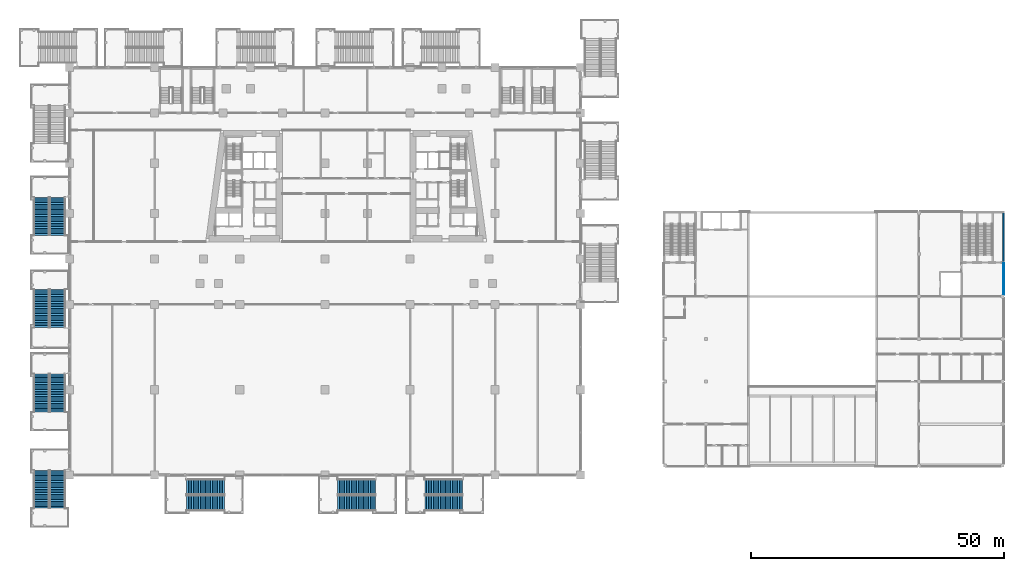
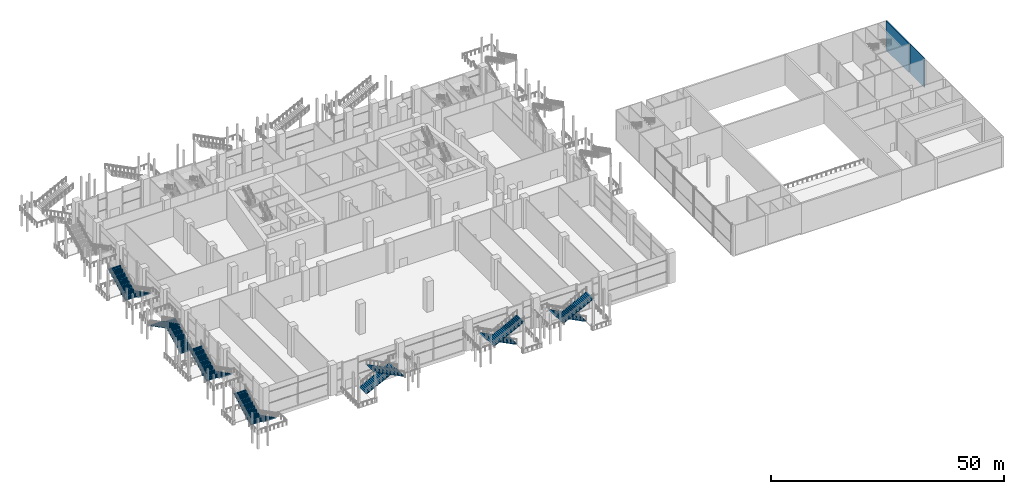
# One storey, part 33 of 52: 14 stair flights, 2 walls, 7 elements without a shape of their own.
"""IFC4 building model written with IfcOpenShell, lengths in metres."""

from ifc_helpers import new_model, si_unit, direction, frame, frame_2d, origin, place, context, subcontext, project, spatial, polyline, rectangle, outline, extrude, material, layer, layer_set, type_object, element, aggregate, save


model = new_model("IFC4")

# Units and contexts
model_context = context("Model", 3, precision=1e-05, world=origin(), true_north=direction((0.0, 1.0)))
body_context = subcontext(model_context, "Body", "Model", "MODEL_VIEW")
ifc_project = project(units=[si_unit("LENGTHUNIT", "METRE"), si_unit("AREAUNIT", "SQUARE_METRE"), si_unit("VOLUMEUNIT", "CUBIC_METRE"), si_unit("PLANEANGLEUNIT", "RADIAN"), si_unit("MASSUNIT", "GRAM", prefix="KILO")], contexts=[model_context])

# Site, building, storey
site_placement = place(None, origin())
site = spatial("IfcSite", under=ifc_project, at=site_placement, CompositionType="ELEMENT")
building_placement = place(site_placement, origin())
building = spatial("IfcBuilding", under=site, at=building_placement, Name="Candeia Pilgrim Tower and Theatre", CompositionType="ELEMENT")
storey_placement = place(building_placement, frame((0.0, 0.0, 9.0)))
storey = spatial("IfcBuildingStorey", under=building, at=storey_placement, Name="L01", CompositionType="ELEMENT", Elevation=9.0)

# Walls
ifc_material_1 = material(Name="Gypsum board on steel studs", Category="steel")
ifc_layer_1 = layer(ifc_material_1, 0.125)
ifc_layer_set_1 = layer_set([ifc_layer_1], Name="Partition 125")
wall_type_1 = type_object("IfcWallType", Name="Partition 125", PredefinedType="PARTITIONING", material=ifc_layer_set_1)
wall_1_placement = place(storey_placement, frame((243.137451171875, 99.89990234375, 0.0), z_axis=(0.0, 0.0, 1.0), x_axis=(0.0, 1.0, 0.0)))
element("IfcWall", 1, at=wall_1_placement, inside=storey, type_object=wall_type_1, Name="T-L01-W071", PredefinedType="PARTITIONING", context=body_context, shape_type="SweptSolid", body=[
    extrude(rectangle(XDim=6.275146484375, YDim=0.125, at=frame_2d((3.1376953125, 0.0))), origin(), (0.0, 0.0, 1.0), 7.699951171875),
])
ifc_material_2 = material(Name="Concrete C35/45", Category="concrete")
ifc_layer_2 = layer(ifc_material_2, 0.25)
ifc_layer_set_2 = layer_set([ifc_layer_2], Name="RC wall 250 C35/45")
wall_type_2 = type_object("IfcWallType", Name="RC wall 250 C35/45", PredefinedType="SOLIDWALL", material=ifc_layer_set_2)
wall_2_placement = place(storey_placement, frame((243.074951171875, 106.425048828125, 0.0), z_axis=(0.0, 0.0, 1.0), x_axis=(0.0, 1.0, 0.0)))
element("IfcWall", 2, at=wall_2_placement, inside=storey, type_object=wall_type_2, Name="T-L01-W066", PredefinedType="SOLIDWALL", context=body_context, shape_type="SweptSolid", body=[
    extrude(rectangle(XDim=9.724853515625, YDim=0.25, at=frame_2d((4.8623046875, 0.0))), origin(), (0.0, 0.0, 1.0), 7.699951171875),
])

# Stair, stair flights
ifc_material_3 = material(Name="Concrete C40/50", Category="concrete")
stair_type = type_object("IfcStairType", Name="ST-EXT external escape stair", PredefinedType="HALF_TURN_STAIR", material=ifc_material_3)
stair_1_placement = place(storey_placement, origin())
stair_1 = element("IfcStair", 3, at=stair_1_placement, inside=storey, type_object=stair_type, Name="L01 External escape stair ES8", PredefinedType="HALF_TURN_STAIR")
stair_flight_type = type_object("IfcStairFlightType", Name="SFL-EXT stair flight", PredefinedType="STRAIGHT", material=ifc_material_3)
stair_flight_1_placement = place(storey_placement, frame((81.89990234375, 62.0, 0.0), z_axis=(0.0, 0.0, 1.0), x_axis=(1.0, 0.0, 0.0)))
stair_flight_1 = element("IfcStairFlight", 4, at=stair_flight_1_placement, type_object=stair_flight_type, Name="ES8 flight 1", NumberOfRisers=23, NumberOfTreads=22, PredefinedType="STRAIGHT", RiserHeight=0.173913043, TreadLength=0.34, context=body_context, shape_type="SweptSolid", body=[
    extrude(outline(polyline([(0.0, 0.0), (0.0, 0.173828125), (0.340087890625, 0.173828125), (0.340087890625, 0.347900390625), (0.679931640625, 0.347900390625), (0.679931640625, 0.521728515625), (1.02001953125, 0.521728515625), (1.02001953125, 0.695556640625), (1.360107421875, 0.695556640625), (1.360107421875, 0.86962890625), (1.699951171875, 0.86962890625), (1.699951171875, 1.04345703125), (2.0400390625, 1.04345703125), (2.0400390625, 1.21728515625), (2.3798828125, 1.21728515625), (2.3798828125, 1.391357421875), (2.719970703125, 1.391357421875), (2.719970703125, 1.565185546875), (3.06005859375, 1.565185546875), (3.06005859375, 1.739013671875), (3.39990234375, 1.739013671875), (3.39990234375, 1.9130859375), (3.739990234375, 1.9130859375), (3.739990234375, 2.0869140625), (4.080078125, 2.0869140625), (4.080078125, 2.260986328125), (4.419921875, 2.260986328125), (4.419921875, 2.434814453125), (4.760009765625, 2.434814453125), (4.760009765625, 2.608642578125), (5.10009765625, 2.608642578125), (5.10009765625, 2.78271484375), (5.43994140625, 2.78271484375), (5.43994140625, 2.95654296875), (5.780029296875, 2.95654296875), (5.780029296875, 3.13037109375), (6.1201171875, 3.13037109375), (6.1201171875, 3.304443359375), (6.4599609375, 3.304443359375), (6.4599609375, 3.478271484375), (6.800048828125, 3.478271484375), (6.800048828125, 3.652099609375), (7.139892578125, 3.652099609375), (7.139892578125, 3.826171875), (7.47998046875, 3.826171875), (7.47998046875, 4.0), (7.47998046875, 3.65771484375), (0.3291015625, 0.0), (0.0, 0.0)])), frame((0.0, 1.5, 0.0), z_axis=(0.0, -1.0, 0.0), x_axis=(1.0, 0.0, 0.0)), (0.0, 0.0, 1.0), 3.0),
])
stair_flight_2_placement = place(storey_placement, frame((89.3798828125, 58.85009765625, 4.0), z_axis=(0.0, 0.0, 1.0), x_axis=(-1.0, 0.0, 0.0)))
stair_flight_2 = element("IfcStairFlight", 5, at=stair_flight_2_placement, type_object=stair_flight_type, Name="ES8 flight 2", NumberOfRisers=23, NumberOfTreads=22, PredefinedType="STRAIGHT", RiserHeight=0.173913043, TreadLength=0.34, context=body_context, shape_type="SweptSolid", body=[
    extrude(outline(polyline([(0.0, 0.0), (0.0, 0.173828125), (0.340087890625, 0.173828125), (0.340087890625, 0.347900390625), (0.679931640625, 0.347900390625), (0.679931640625, 0.521728515625), (1.02001953125, 0.521728515625), (1.02001953125, 0.695556640625), (1.360107421875, 0.695556640625), (1.360107421875, 0.86962890625), (1.699951171875, 0.86962890625), (1.699951171875, 1.04345703125), (2.0400390625, 1.04345703125), (2.0400390625, 1.21728515625), (2.3798828125, 1.21728515625), (2.3798828125, 1.391357421875), (2.719970703125, 1.391357421875), (2.719970703125, 1.565185546875), (3.06005859375, 1.565185546875), (3.06005859375, 1.739013671875), (3.39990234375, 1.739013671875), (3.39990234375, 1.9130859375), (3.739990234375, 1.9130859375), (3.739990234375, 2.0869140625), (4.080078125, 2.0869140625), (4.080078125, 2.260986328125), (4.419921875, 2.260986328125), (4.419921875, 2.434814453125), (4.760009765625, 2.434814453125), (4.760009765625, 2.608642578125), (5.10009765625, 2.608642578125), (5.10009765625, 2.78271484375), (5.43994140625, 2.78271484375), (5.43994140625, 2.95654296875), (5.780029296875, 2.95654296875), (5.780029296875, 3.13037109375), (6.1201171875, 3.13037109375), (6.1201171875, 3.304443359375), (6.4599609375, 3.304443359375), (6.4599609375, 3.478271484375), (6.800048828125, 3.478271484375), (6.800048828125, 3.652099609375), (7.139892578125, 3.652099609375), (7.139892578125, 3.826171875), (7.47998046875, 3.826171875), (7.47998046875, 4.0), (7.47998046875, 3.65771484375), (0.3291015625, 0.0), (0.0, 0.0)])), frame((0.0, 1.5, 0.0), z_axis=(0.0, -1.0, 0.0), x_axis=(1.0, 0.0, 0.0)), (0.0, 0.0, 1.0), 3.0),
])
aggregate(stair_1, [stair_flight_1, stair_flight_2])

stair_2_placement = place(storey_placement, origin())
stair_2 = element("IfcStair", 6, at=stair_2_placement, inside=storey, type_object=stair_type, Name="L01 External escape stair ES9", PredefinedType="HALF_TURN_STAIR")
stair_flight_3_placement = place(storey_placement, frame((119.199951171875, 62.0, 0.0), z_axis=(0.0, 0.0, 1.0), x_axis=(-1.0, 0.0, 0.0)))
stair_flight_3 = element("IfcStairFlight", 7, at=stair_flight_3_placement, type_object=stair_flight_type, Name="ES9 flight 1", NumberOfRisers=23, NumberOfTreads=22, PredefinedType="STRAIGHT", RiserHeight=0.173913043, TreadLength=0.34, context=body_context, shape_type="SweptSolid", body=[
    extrude(outline(polyline([(0.0, 0.0), (0.0, 0.173828125), (0.340087890625, 0.173828125), (0.340087890625, 0.347900390625), (0.679931640625, 0.347900390625), (0.679931640625, 0.521728515625), (1.02001953125, 0.521728515625), (1.02001953125, 0.695556640625), (1.360107421875, 0.695556640625), (1.360107421875, 0.86962890625), (1.699951171875, 0.86962890625), (1.699951171875, 1.04345703125), (2.0400390625, 1.04345703125), (2.0400390625, 1.21728515625), (2.3798828125, 1.21728515625), (2.3798828125, 1.391357421875), (2.719970703125, 1.391357421875), (2.719970703125, 1.565185546875), (3.06005859375, 1.565185546875), (3.06005859375, 1.739013671875), (3.39990234375, 1.739013671875), (3.39990234375, 1.9130859375), (3.739990234375, 1.9130859375), (3.739990234375, 2.0869140625), (4.080078125, 2.0869140625), (4.080078125, 2.260986328125), (4.419921875, 2.260986328125), (4.419921875, 2.434814453125), (4.760009765625, 2.434814453125), (4.760009765625, 2.608642578125), (5.10009765625, 2.608642578125), (5.10009765625, 2.78271484375), (5.43994140625, 2.78271484375), (5.43994140625, 2.95654296875), (5.780029296875, 2.95654296875), (5.780029296875, 3.13037109375), (6.1201171875, 3.13037109375), (6.1201171875, 3.304443359375), (6.4599609375, 3.304443359375), (6.4599609375, 3.478271484375), (6.800048828125, 3.478271484375), (6.800048828125, 3.652099609375), (7.139892578125, 3.652099609375), (7.139892578125, 3.826171875), (7.47998046875, 3.826171875), (7.47998046875, 4.0), (7.47998046875, 3.65771484375), (0.3291015625, 0.0), (0.0, 0.0)])), frame((0.0, 1.5, 0.0), z_axis=(0.0, -1.0, 0.0), x_axis=(1.0, 0.0, 0.0)), (0.0, 0.0, 1.0), 3.0),
])
stair_flight_4_placement = place(storey_placement, frame((111.719970703125, 58.85009765625, 4.0), z_axis=(0.0, 0.0, 1.0), x_axis=(1.0, 0.0, 0.0)))
stair_flight_4 = element("IfcStairFlight", 8, at=stair_flight_4_placement, type_object=stair_flight_type, Name="ES9 flight 2", NumberOfRisers=23, NumberOfTreads=22, PredefinedType="STRAIGHT", RiserHeight=0.173913043, TreadLength=0.34, context=body_context, shape_type="SweptSolid", body=[
    extrude(outline(polyline([(0.0, 0.0), (0.0, 0.173828125), (0.340087890625, 0.173828125), (0.340087890625, 0.347900390625), (0.679931640625, 0.347900390625), (0.679931640625, 0.521728515625), (1.02001953125, 0.521728515625), (1.02001953125, 0.695556640625), (1.360107421875, 0.695556640625), (1.360107421875, 0.86962890625), (1.699951171875, 0.86962890625), (1.699951171875, 1.04345703125), (2.0400390625, 1.04345703125), (2.0400390625, 1.21728515625), (2.3798828125, 1.21728515625), (2.3798828125, 1.391357421875), (2.719970703125, 1.391357421875), (2.719970703125, 1.565185546875), (3.06005859375, 1.565185546875), (3.06005859375, 1.739013671875), (3.39990234375, 1.739013671875), (3.39990234375, 1.9130859375), (3.739990234375, 1.9130859375), (3.739990234375, 2.0869140625), (4.080078125, 2.0869140625), (4.080078125, 2.260986328125), (4.419921875, 2.260986328125), (4.419921875, 2.434814453125), (4.760009765625, 2.434814453125), (4.760009765625, 2.608642578125), (5.10009765625, 2.608642578125), (5.10009765625, 2.78271484375), (5.43994140625, 2.78271484375), (5.43994140625, 2.95654296875), (5.780029296875, 2.95654296875), (5.780029296875, 3.13037109375), (6.1201171875, 3.13037109375), (6.1201171875, 3.304443359375), (6.4599609375, 3.304443359375), (6.4599609375, 3.478271484375), (6.800048828125, 3.478271484375), (6.800048828125, 3.652099609375), (7.139892578125, 3.652099609375), (7.139892578125, 3.826171875), (7.47998046875, 3.826171875), (7.47998046875, 4.0), (7.47998046875, 3.65771484375), (0.3291015625, 0.0), (0.0, 0.0)])), frame((0.0, 1.5, 0.0), z_axis=(0.0, -1.0, 0.0), x_axis=(1.0, 0.0, 0.0)), (0.0, 0.0, 1.0), 3.0),
])
aggregate(stair_2, [stair_flight_3, stair_flight_4])

stair_3_placement = place(storey_placement, origin())
stair_3 = element("IfcStair", 9, at=stair_3_placement, inside=storey, type_object=stair_type, Name="L01 External escape stair ES10", PredefinedType="HALF_TURN_STAIR")
stair_flight_5_placement = place(storey_placement, frame((56.39990234375, 65.300048828125, 0.0), z_axis=(0.0, 0.0, 1.0), x_axis=(0.0, -1.0, 0.0)))
stair_flight_5 = element("IfcStairFlight", 10, at=stair_flight_5_placement, type_object=stair_flight_type, Name="ES10 flight 1", NumberOfRisers=23, NumberOfTreads=22, PredefinedType="STRAIGHT", RiserHeight=0.173913043, TreadLength=0.34, context=body_context, shape_type="SweptSolid", body=[
    extrude(outline(polyline([(0.0, 0.0), (0.0, 0.173828125), (0.340087890625, 0.173828125), (0.340087890625, 0.347900390625), (0.679931640625, 0.347900390625), (0.679931640625, 0.521728515625), (1.02001953125, 0.521728515625), (1.02001953125, 0.695556640625), (1.360107421875, 0.695556640625), (1.360107421875, 0.86962890625), (1.699951171875, 0.86962890625), (1.699951171875, 1.04345703125), (2.0400390625, 1.04345703125), (2.0400390625, 1.21728515625), (2.3798828125, 1.21728515625), (2.3798828125, 1.391357421875), (2.719970703125, 1.391357421875), (2.719970703125, 1.565185546875), (3.06005859375, 1.565185546875), (3.06005859375, 1.739013671875), (3.39990234375, 1.739013671875), (3.39990234375, 1.9130859375), (3.739990234375, 1.9130859375), (3.739990234375, 2.0869140625), (4.080078125, 2.0869140625), (4.080078125, 2.260986328125), (4.419921875, 2.260986328125), (4.419921875, 2.434814453125), (4.760009765625, 2.434814453125), (4.760009765625, 2.608642578125), (5.10009765625, 2.608642578125), (5.10009765625, 2.78271484375), (5.43994140625, 2.78271484375), (5.43994140625, 2.95654296875), (5.780029296875, 2.95654296875), (5.780029296875, 3.13037109375), (6.1201171875, 3.13037109375), (6.1201171875, 3.304443359375), (6.4599609375, 3.304443359375), (6.4599609375, 3.478271484375), (6.800048828125, 3.478271484375), (6.800048828125, 3.652099609375), (7.139892578125, 3.652099609375), (7.139892578125, 3.826171875), (7.47998046875, 3.826171875), (7.47998046875, 4.0), (7.47998046875, 3.65771484375), (0.3291015625, 0.0), (0.0, 0.0)])), frame((0.0, 1.5, 0.0), z_axis=(0.0, -1.0, 0.0), x_axis=(1.0, 0.0, 0.0)), (0.0, 0.0, 1.0), 3.0),
])
stair_flight_6_placement = place(storey_placement, frame((53.25, 57.820068359375, 4.0), z_axis=(0.0, 0.0, 1.0), x_axis=(0.0, 1.0, 0.0)))
stair_flight_6 = element("IfcStairFlight", 11, at=stair_flight_6_placement, type_object=stair_flight_type, Name="ES10 flight 2", NumberOfRisers=23, NumberOfTreads=22, PredefinedType="STRAIGHT", RiserHeight=0.173913043, TreadLength=0.34, context=body_context, shape_type="SweptSolid", body=[
    extrude(outline(polyline([(0.0, 0.0), (0.0, 0.173828125), (0.340087890625, 0.173828125), (0.340087890625, 0.347900390625), (0.679931640625, 0.347900390625), (0.679931640625, 0.521728515625), (1.02001953125, 0.521728515625), (1.02001953125, 0.695556640625), (1.360107421875, 0.695556640625), (1.360107421875, 0.86962890625), (1.699951171875, 0.86962890625), (1.699951171875, 1.04345703125), (2.0400390625, 1.04345703125), (2.0400390625, 1.21728515625), (2.3798828125, 1.21728515625), (2.3798828125, 1.391357421875), (2.719970703125, 1.391357421875), (2.719970703125, 1.565185546875), (3.06005859375, 1.565185546875), (3.06005859375, 1.739013671875), (3.39990234375, 1.739013671875), (3.39990234375, 1.9130859375), (3.739990234375, 1.9130859375), (3.739990234375, 2.0869140625), (4.080078125, 2.0869140625), (4.080078125, 2.260986328125), (4.419921875, 2.260986328125), (4.419921875, 2.434814453125), (4.760009765625, 2.434814453125), (4.760009765625, 2.608642578125), (5.10009765625, 2.608642578125), (5.10009765625, 2.78271484375), (5.43994140625, 2.78271484375), (5.43994140625, 2.95654296875), (5.780029296875, 2.95654296875), (5.780029296875, 3.13037109375), (6.1201171875, 3.13037109375), (6.1201171875, 3.304443359375), (6.4599609375, 3.304443359375), (6.4599609375, 3.478271484375), (6.800048828125, 3.478271484375), (6.800048828125, 3.652099609375), (7.139892578125, 3.652099609375), (7.139892578125, 3.826171875), (7.47998046875, 3.826171875), (7.47998046875, 4.0), (7.47998046875, 3.65771484375), (0.3291015625, 0.0), (0.0, 0.0)])), frame((0.0, 1.5, 0.0), z_axis=(0.0, -1.0, 0.0), x_axis=(1.0, 0.0, 0.0)), (0.0, 0.0, 1.0), 3.0),
])
aggregate(stair_3, [stair_flight_5, stair_flight_6])

stair_4_placement = place(storey_placement, origin())
stair_4 = element("IfcStair", 12, at=stair_4_placement, inside=storey, type_object=stair_type, Name="L01 External escape stair ES11", PredefinedType="HALF_TURN_STAIR")
stair_flight_7_placement = place(storey_placement, frame((56.39990234375, 84.300048828125, 0.0), z_axis=(0.0, 0.0, 1.0), x_axis=(0.0, -1.0, 0.0)))
stair_flight_7 = element("IfcStairFlight", 13, at=stair_flight_7_placement, type_object=stair_flight_type, Name="ES11 flight 1", NumberOfRisers=23, NumberOfTreads=22, PredefinedType="STRAIGHT", RiserHeight=0.173913043, TreadLength=0.34, context=body_context, shape_type="SweptSolid", body=[
    extrude(outline(polyline([(0.0, 0.0), (0.0, 0.173828125), (0.340087890625, 0.173828125), (0.340087890625, 0.347900390625), (0.679931640625, 0.347900390625), (0.679931640625, 0.521728515625), (1.02001953125, 0.521728515625), (1.02001953125, 0.695556640625), (1.360107421875, 0.695556640625), (1.360107421875, 0.86962890625), (1.699951171875, 0.86962890625), (1.699951171875, 1.04345703125), (2.0400390625, 1.04345703125), (2.0400390625, 1.21728515625), (2.3798828125, 1.21728515625), (2.3798828125, 1.391357421875), (2.719970703125, 1.391357421875), (2.719970703125, 1.565185546875), (3.06005859375, 1.565185546875), (3.06005859375, 1.739013671875), (3.39990234375, 1.739013671875), (3.39990234375, 1.9130859375), (3.739990234375, 1.9130859375), (3.739990234375, 2.0869140625), (4.080078125, 2.0869140625), (4.080078125, 2.260986328125), (4.419921875, 2.260986328125), (4.419921875, 2.434814453125), (4.760009765625, 2.434814453125), (4.760009765625, 2.608642578125), (5.10009765625, 2.608642578125), (5.10009765625, 2.78271484375), (5.43994140625, 2.78271484375), (5.43994140625, 2.95654296875), (5.780029296875, 2.95654296875), (5.780029296875, 3.13037109375), (6.1201171875, 3.13037109375), (6.1201171875, 3.304443359375), (6.4599609375, 3.304443359375), (6.4599609375, 3.478271484375), (6.800048828125, 3.478271484375), (6.800048828125, 3.652099609375), (7.139892578125, 3.652099609375), (7.139892578125, 3.826171875), (7.47998046875, 3.826171875), (7.47998046875, 4.0), (7.47998046875, 3.65771484375), (0.3291015625, 0.0), (0.0, 0.0)])), frame((0.0, 1.5, 0.0), z_axis=(0.0, -1.0, 0.0), x_axis=(1.0, 0.0, 0.0)), (0.0, 0.0, 1.0), 3.0),
])
stair_flight_8_placement = place(storey_placement, frame((53.25, 76.820068359375, 4.0), z_axis=(0.0, 0.0, 1.0), x_axis=(0.0, 1.0, 0.0)))
stair_flight_8 = element("IfcStairFlight", 14, at=stair_flight_8_placement, type_object=stair_flight_type, Name="ES11 flight 2", NumberOfRisers=23, NumberOfTreads=22, PredefinedType="STRAIGHT", RiserHeight=0.173913043, TreadLength=0.34, context=body_context, shape_type="SweptSolid", body=[
    extrude(outline(polyline([(0.0, 0.0), (0.0, 0.173828125), (0.340087890625, 0.173828125), (0.340087890625, 0.347900390625), (0.679931640625, 0.347900390625), (0.679931640625, 0.521728515625), (1.02001953125, 0.521728515625), (1.02001953125, 0.695556640625), (1.360107421875, 0.695556640625), (1.360107421875, 0.86962890625), (1.699951171875, 0.86962890625), (1.699951171875, 1.04345703125), (2.0400390625, 1.04345703125), (2.0400390625, 1.21728515625), (2.3798828125, 1.21728515625), (2.3798828125, 1.391357421875), (2.719970703125, 1.391357421875), (2.719970703125, 1.565185546875), (3.06005859375, 1.565185546875), (3.06005859375, 1.739013671875), (3.39990234375, 1.739013671875), (3.39990234375, 1.9130859375), (3.739990234375, 1.9130859375), (3.739990234375, 2.0869140625), (4.080078125, 2.0869140625), (4.080078125, 2.260986328125), (4.419921875, 2.260986328125), (4.419921875, 2.434814453125), (4.760009765625, 2.434814453125), (4.760009765625, 2.608642578125), (5.10009765625, 2.608642578125), (5.10009765625, 2.78271484375), (5.43994140625, 2.78271484375), (5.43994140625, 2.95654296875), (5.780029296875, 2.95654296875), (5.780029296875, 3.13037109375), (6.1201171875, 3.13037109375), (6.1201171875, 3.304443359375), (6.4599609375, 3.304443359375), (6.4599609375, 3.478271484375), (6.800048828125, 3.478271484375), (6.800048828125, 3.652099609375), (7.139892578125, 3.652099609375), (7.139892578125, 3.826171875), (7.47998046875, 3.826171875), (7.47998046875, 4.0), (7.47998046875, 3.65771484375), (0.3291015625, 0.0), (0.0, 0.0)])), frame((0.0, 1.5, 0.0), z_axis=(0.0, -1.0, 0.0), x_axis=(1.0, 0.0, 0.0)), (0.0, 0.0, 1.0), 3.0),
])
aggregate(stair_4, [stair_flight_7, stair_flight_8])

stair_5_placement = place(storey_placement, origin())
stair_5 = element("IfcStair", 15, at=stair_5_placement, inside=storey, type_object=stair_type, Name="L01 External escape stair ES12", PredefinedType="HALF_TURN_STAIR")
stair_flight_9_placement = place(storey_placement, frame((56.39990234375, 93.5, 0.0), z_axis=(0.0, 0.0, 1.0), x_axis=(0.0, 1.0, 0.0)))
stair_flight_9 = element("IfcStairFlight", 16, at=stair_flight_9_placement, type_object=stair_flight_type, Name="ES12 flight 1", NumberOfRisers=23, NumberOfTreads=22, PredefinedType="STRAIGHT", RiserHeight=0.173913043, TreadLength=0.34, context=body_context, shape_type="SweptSolid", body=[
    extrude(outline(polyline([(0.0, 0.0), (0.0, 0.173828125), (0.340087890625, 0.173828125), (0.340087890625, 0.347900390625), (0.679931640625, 0.347900390625), (0.679931640625, 0.521728515625), (1.02001953125, 0.521728515625), (1.02001953125, 0.695556640625), (1.360107421875, 0.695556640625), (1.360107421875, 0.86962890625), (1.699951171875, 0.86962890625), (1.699951171875, 1.04345703125), (2.0400390625, 1.04345703125), (2.0400390625, 1.21728515625), (2.3798828125, 1.21728515625), (2.3798828125, 1.391357421875), (2.719970703125, 1.391357421875), (2.719970703125, 1.565185546875), (3.06005859375, 1.565185546875), (3.06005859375, 1.739013671875), (3.39990234375, 1.739013671875), (3.39990234375, 1.9130859375), (3.739990234375, 1.9130859375), (3.739990234375, 2.0869140625), (4.080078125, 2.0869140625), (4.080078125, 2.260986328125), (4.419921875, 2.260986328125), (4.419921875, 2.434814453125), (4.760009765625, 2.434814453125), (4.760009765625, 2.608642578125), (5.10009765625, 2.608642578125), (5.10009765625, 2.78271484375), (5.43994140625, 2.78271484375), (5.43994140625, 2.95654296875), (5.780029296875, 2.95654296875), (5.780029296875, 3.13037109375), (6.1201171875, 3.13037109375), (6.1201171875, 3.304443359375), (6.4599609375, 3.304443359375), (6.4599609375, 3.478271484375), (6.800048828125, 3.478271484375), (6.800048828125, 3.652099609375), (7.139892578125, 3.652099609375), (7.139892578125, 3.826171875), (7.47998046875, 3.826171875), (7.47998046875, 4.0), (7.47998046875, 3.65771484375), (0.3291015625, 0.0), (0.0, 0.0)])), frame((0.0, 1.5, 0.0), z_axis=(0.0, -1.0, 0.0), x_axis=(1.0, 0.0, 0.0)), (0.0, 0.0, 1.0), 3.0),
])
stair_flight_10_placement = place(storey_placement, frame((53.25, 100.97998046875, 4.0), z_axis=(0.0, 0.0, 1.0), x_axis=(0.0, -1.0, 0.0)))
stair_flight_10 = element("IfcStairFlight", 17, at=stair_flight_10_placement, type_object=stair_flight_type, Name="ES12 flight 2", NumberOfRisers=23, NumberOfTreads=22, PredefinedType="STRAIGHT", RiserHeight=0.173913043, TreadLength=0.34, context=body_context, shape_type="SweptSolid", body=[
    extrude(outline(polyline([(0.0, 0.0), (0.0, 0.173828125), (0.340087890625, 0.173828125), (0.340087890625, 0.347900390625), (0.679931640625, 0.347900390625), (0.679931640625, 0.521728515625), (1.02001953125, 0.521728515625), (1.02001953125, 0.695556640625), (1.360107421875, 0.695556640625), (1.360107421875, 0.86962890625), (1.699951171875, 0.86962890625), (1.699951171875, 1.04345703125), (2.0400390625, 1.04345703125), (2.0400390625, 1.21728515625), (2.3798828125, 1.21728515625), (2.3798828125, 1.391357421875), (2.719970703125, 1.391357421875), (2.719970703125, 1.565185546875), (3.06005859375, 1.565185546875), (3.06005859375, 1.739013671875), (3.39990234375, 1.739013671875), (3.39990234375, 1.9130859375), (3.739990234375, 1.9130859375), (3.739990234375, 2.0869140625), (4.080078125, 2.0869140625), (4.080078125, 2.260986328125), (4.419921875, 2.260986328125), (4.419921875, 2.434814453125), (4.760009765625, 2.434814453125), (4.760009765625, 2.608642578125), (5.10009765625, 2.608642578125), (5.10009765625, 2.78271484375), (5.43994140625, 2.78271484375), (5.43994140625, 2.95654296875), (5.780029296875, 2.95654296875), (5.780029296875, 3.13037109375), (6.1201171875, 3.13037109375), (6.1201171875, 3.304443359375), (6.4599609375, 3.304443359375), (6.4599609375, 3.478271484375), (6.800048828125, 3.478271484375), (6.800048828125, 3.652099609375), (7.139892578125, 3.652099609375), (7.139892578125, 3.826171875), (7.47998046875, 3.826171875), (7.47998046875, 4.0), (7.47998046875, 3.65771484375), (0.3291015625, 0.0), (0.0, 0.0)])), frame((0.0, 1.5, 0.0), z_axis=(0.0, -1.0, 0.0), x_axis=(1.0, 0.0, 0.0)), (0.0, 0.0, 1.0), 3.0),
])
aggregate(stair_5, [stair_flight_9, stair_flight_10])

stair_6_placement = place(storey_placement, origin())
stair_6 = element("IfcStair", 18, at=stair_6_placement, inside=storey, type_object=stair_type, Name="L01 External escape stair ES15", PredefinedType="HALF_TURN_STAIR")
stair_flight_11_placement = place(storey_placement, frame((56.39990234375, 119.14990234375, 0.0), z_axis=(0.0, 0.0, 1.0), x_axis=(0.0, -1.0, 0.0)))
stair_flight_11 = element("IfcStairFlight", 19, at=stair_flight_11_placement, type_object=stair_flight_type, Name="ES15 flight 1", NumberOfRisers=23, NumberOfTreads=22, PredefinedType="STRAIGHT", RiserHeight=0.173913043, TreadLength=0.34, context=body_context, shape_type="SweptSolid", body=[
    extrude(outline(polyline([(0.0, 0.0), (0.0, 0.173828125), (0.340087890625, 0.173828125), (0.340087890625, 0.347900390625), (0.679931640625, 0.347900390625), (0.679931640625, 0.521728515625), (1.02001953125, 0.521728515625), (1.02001953125, 0.695556640625), (1.360107421875, 0.695556640625), (1.360107421875, 0.86962890625), (1.699951171875, 0.86962890625), (1.699951171875, 1.04345703125), (2.0400390625, 1.04345703125), (2.0400390625, 1.21728515625), (2.3798828125, 1.21728515625), (2.3798828125, 1.391357421875), (2.719970703125, 1.391357421875), (2.719970703125, 1.565185546875), (3.06005859375, 1.565185546875), (3.06005859375, 1.739013671875), (3.39990234375, 1.739013671875), (3.39990234375, 1.9130859375), (3.739990234375, 1.9130859375), (3.739990234375, 2.0869140625), (4.080078125, 2.0869140625), (4.080078125, 2.260986328125), (4.419921875, 2.260986328125), (4.419921875, 2.434814453125), (4.760009765625, 2.434814453125), (4.760009765625, 2.608642578125), (5.10009765625, 2.608642578125), (5.10009765625, 2.78271484375), (5.43994140625, 2.78271484375), (5.43994140625, 2.95654296875), (5.780029296875, 2.95654296875), (5.780029296875, 3.13037109375), (6.1201171875, 3.13037109375), (6.1201171875, 3.304443359375), (6.4599609375, 3.304443359375), (6.4599609375, 3.478271484375), (6.800048828125, 3.478271484375), (6.800048828125, 3.652099609375), (7.139892578125, 3.652099609375), (7.139892578125, 3.826171875), (7.47998046875, 3.826171875), (7.47998046875, 4.0), (7.47998046875, 3.65771484375), (0.3291015625, 0.0), (0.0, 0.0)])), frame((0.0, 1.5, 0.0), z_axis=(0.0, -1.0, 0.0), x_axis=(1.0, 0.0, 0.0)), (0.0, 0.0, 1.0), 3.0),
])
stair_flight_12_placement = place(storey_placement, frame((53.25, 111.669921875, 4.0), z_axis=(0.0, 0.0, 1.0), x_axis=(0.0, 1.0, 0.0)))
stair_flight_12 = element("IfcStairFlight", 20, at=stair_flight_12_placement, type_object=stair_flight_type, Name="ES15 flight 2", NumberOfRisers=23, NumberOfTreads=22, PredefinedType="STRAIGHT", RiserHeight=0.173913043, TreadLength=0.34, context=body_context, shape_type="SweptSolid", body=[
    extrude(outline(polyline([(0.0, 0.0), (0.0, 0.173828125), (0.340087890625, 0.173828125), (0.340087890625, 0.347900390625), (0.679931640625, 0.347900390625), (0.679931640625, 0.521728515625), (1.02001953125, 0.521728515625), (1.02001953125, 0.695556640625), (1.360107421875, 0.695556640625), (1.360107421875, 0.86962890625), (1.699951171875, 0.86962890625), (1.699951171875, 1.04345703125), (2.0400390625, 1.04345703125), (2.0400390625, 1.21728515625), (2.3798828125, 1.21728515625), (2.3798828125, 1.391357421875), (2.719970703125, 1.391357421875), (2.719970703125, 1.565185546875), (3.06005859375, 1.565185546875), (3.06005859375, 1.739013671875), (3.39990234375, 1.739013671875), (3.39990234375, 1.9130859375), (3.739990234375, 1.9130859375), (3.739990234375, 2.0869140625), (4.080078125, 2.0869140625), (4.080078125, 2.260986328125), (4.419921875, 2.260986328125), (4.419921875, 2.434814453125), (4.760009765625, 2.434814453125), (4.760009765625, 2.608642578125), (5.10009765625, 2.608642578125), (5.10009765625, 2.78271484375), (5.43994140625, 2.78271484375), (5.43994140625, 2.95654296875), (5.780029296875, 2.95654296875), (5.780029296875, 3.13037109375), (6.1201171875, 3.13037109375), (6.1201171875, 3.304443359375), (6.4599609375, 3.304443359375), (6.4599609375, 3.478271484375), (6.800048828125, 3.478271484375), (6.800048828125, 3.652099609375), (7.139892578125, 3.652099609375), (7.139892578125, 3.826171875), (7.47998046875, 3.826171875), (7.47998046875, 4.0), (7.47998046875, 3.65771484375), (0.3291015625, 0.0), (0.0, 0.0)])), frame((0.0, 1.5, 0.0), z_axis=(0.0, -1.0, 0.0), x_axis=(1.0, 0.0, 0.0)), (0.0, 0.0, 1.0), 3.0),
])
aggregate(stair_6, [stair_flight_11, stair_flight_12])

stair_7_placement = place(storey_placement, origin())
stair_7 = element("IfcStair", 21, at=stair_7_placement, inside=storey, type_object=stair_type, Name="L01 External escape stair ES16", PredefinedType="HALF_TURN_STAIR")
stair_flight_13_placement = place(storey_placement, frame((136.39990234375, 62.0, 0.0), z_axis=(0.0, 0.0, 1.0), x_axis=(-1.0, 0.0, 0.0)))
stair_flight_13 = element("IfcStairFlight", 22, at=stair_flight_13_placement, type_object=stair_flight_type, Name="ES16 flight 1", NumberOfRisers=23, NumberOfTreads=22, PredefinedType="STRAIGHT", RiserHeight=0.173913043, TreadLength=0.34, context=body_context, shape_type="SweptSolid", body=[
    extrude(outline(polyline([(0.0, 0.0), (0.0, 0.173828125), (0.340087890625, 0.173828125), (0.340087890625, 0.347900390625), (0.679931640625, 0.347900390625), (0.679931640625, 0.521728515625), (1.02001953125, 0.521728515625), (1.02001953125, 0.695556640625), (1.360107421875, 0.695556640625), (1.360107421875, 0.86962890625), (1.699951171875, 0.86962890625), (1.699951171875, 1.04345703125), (2.0400390625, 1.04345703125), (2.0400390625, 1.21728515625), (2.3798828125, 1.21728515625), (2.3798828125, 1.391357421875), (2.719970703125, 1.391357421875), (2.719970703125, 1.565185546875), (3.06005859375, 1.565185546875), (3.06005859375, 1.739013671875), (3.39990234375, 1.739013671875), (3.39990234375, 1.9130859375), (3.739990234375, 1.9130859375), (3.739990234375, 2.0869140625), (4.080078125, 2.0869140625), (4.080078125, 2.260986328125), (4.419921875, 2.260986328125), (4.419921875, 2.434814453125), (4.760009765625, 2.434814453125), (4.760009765625, 2.608642578125), (5.10009765625, 2.608642578125), (5.10009765625, 2.78271484375), (5.43994140625, 2.78271484375), (5.43994140625, 2.95654296875), (5.780029296875, 2.95654296875), (5.780029296875, 3.13037109375), (6.1201171875, 3.13037109375), (6.1201171875, 3.304443359375), (6.4599609375, 3.304443359375), (6.4599609375, 3.478271484375), (6.800048828125, 3.478271484375), (6.800048828125, 3.652099609375), (7.139892578125, 3.652099609375), (7.139892578125, 3.826171875), (7.47998046875, 3.826171875), (7.47998046875, 4.0), (7.47998046875, 3.65771484375), (0.3291015625, 0.0), (0.0, 0.0)])), frame((0.0, 1.5, 0.0), z_axis=(0.0, -1.0, 0.0), x_axis=(1.0, 0.0, 0.0)), (0.0, 0.0, 1.0), 3.0),
])
stair_flight_14_placement = place(storey_placement, frame((128.919921875, 58.85009765625, 4.0), z_axis=(0.0, 0.0, 1.0), x_axis=(1.0, 0.0, 0.0)))
stair_flight_14 = element("IfcStairFlight", 23, at=stair_flight_14_placement, type_object=stair_flight_type, Name="ES16 flight 2", NumberOfRisers=23, NumberOfTreads=22, PredefinedType="STRAIGHT", RiserHeight=0.173913043, TreadLength=0.34, context=body_context, shape_type="SweptSolid", body=[
    extrude(outline(polyline([(0.0, 0.0), (0.0, 0.173828125), (0.340087890625, 0.173828125), (0.340087890625, 0.347900390625), (0.679931640625, 0.347900390625), (0.679931640625, 0.521728515625), (1.02001953125, 0.521728515625), (1.02001953125, 0.695556640625), (1.360107421875, 0.695556640625), (1.360107421875, 0.86962890625), (1.699951171875, 0.86962890625), (1.699951171875, 1.04345703125), (2.0400390625, 1.04345703125), (2.0400390625, 1.21728515625), (2.3798828125, 1.21728515625), (2.3798828125, 1.391357421875), (2.719970703125, 1.391357421875), (2.719970703125, 1.565185546875), (3.06005859375, 1.565185546875), (3.06005859375, 1.739013671875), (3.39990234375, 1.739013671875), (3.39990234375, 1.9130859375), (3.739990234375, 1.9130859375), (3.739990234375, 2.0869140625), (4.080078125, 2.0869140625), (4.080078125, 2.260986328125), (4.419921875, 2.260986328125), (4.419921875, 2.434814453125), (4.760009765625, 2.434814453125), (4.760009765625, 2.608642578125), (5.10009765625, 2.608642578125), (5.10009765625, 2.78271484375), (5.43994140625, 2.78271484375), (5.43994140625, 2.95654296875), (5.780029296875, 2.95654296875), (5.780029296875, 3.13037109375), (6.1201171875, 3.13037109375), (6.1201171875, 3.304443359375), (6.4599609375, 3.304443359375), (6.4599609375, 3.478271484375), (6.800048828125, 3.478271484375), (6.800048828125, 3.652099609375), (7.139892578125, 3.652099609375), (7.139892578125, 3.826171875), (7.47998046875, 3.826171875), (7.47998046875, 4.0), (7.47998046875, 3.65771484375), (0.3291015625, 0.0), (0.0, 0.0)])), frame((0.0, 1.5, 0.0), z_axis=(0.0, -1.0, 0.0), x_axis=(1.0, 0.0, 0.0)), (0.0, 0.0, 1.0), 3.0),
])
aggregate(stair_7, [stair_flight_13, stair_flight_14])

save(model, "model.ifc")
